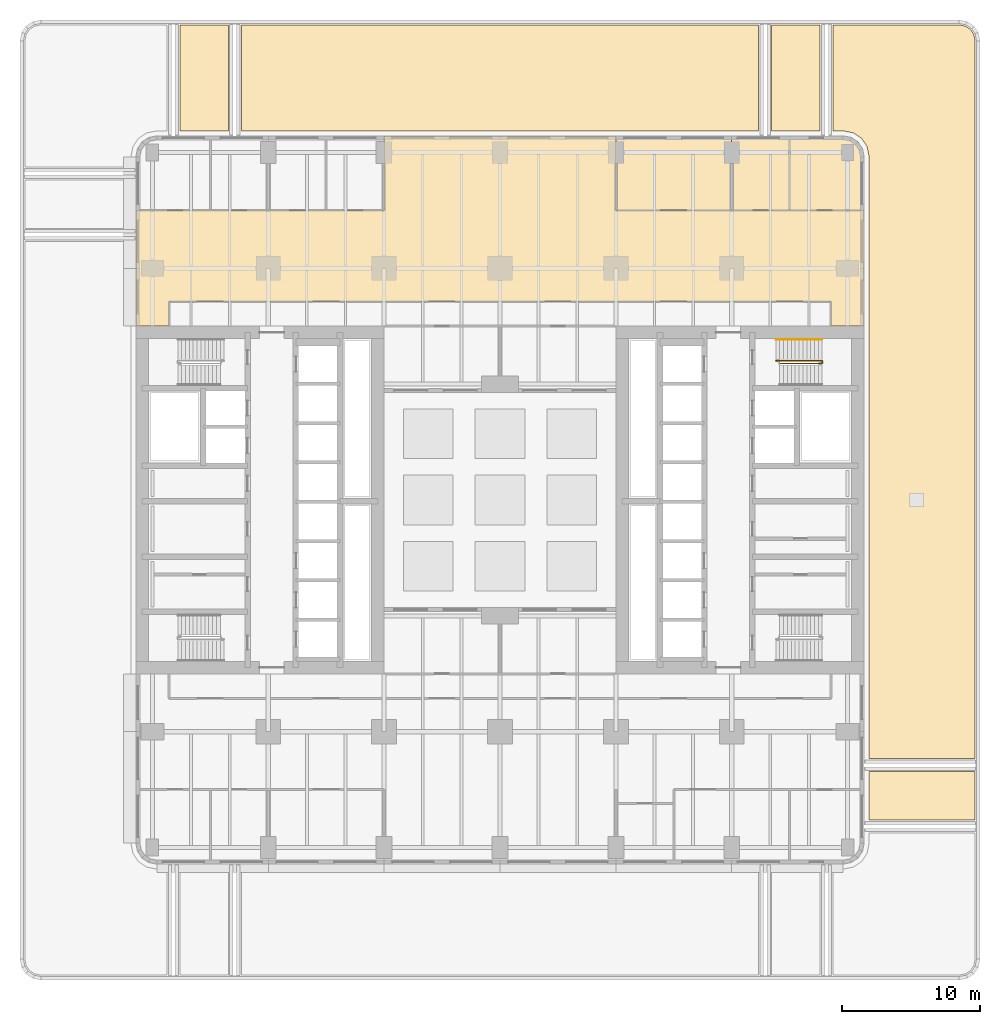
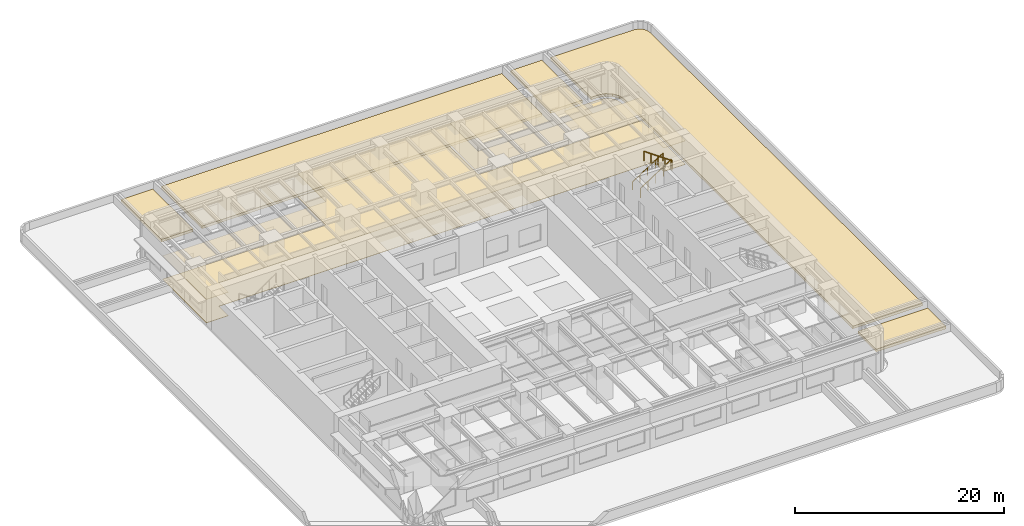
# One storey, part 17 of 17: 10 coverings, 2 railings.
"""IFC4 building model written with IfcOpenShell, lengths in metres."""

from ifc_helpers import new_model, si_unit, direction, frame, origin, origin_2d, place, context, subcontext, project, spatial, polyline, circle, outline, extrude, material, layer, layer_set, type_object, element, save


model = new_model("IFC4")

# Units and contexts
model_context = context("Model", 3, precision=1e-05, world=origin(), true_north=direction((0.0, 1.0)))
body_context = subcontext(model_context, "Body", "Model", "MODEL_VIEW")
ifc_project = project(units=[si_unit("LENGTHUNIT", "METRE"), si_unit("AREAUNIT", "SQUARE_METRE"), si_unit("VOLUMEUNIT", "CUBIC_METRE"), si_unit("PLANEANGLEUNIT", "RADIAN"), si_unit("MASSUNIT", "GRAM", prefix="KILO")], contexts=[model_context])

# Site, building, storey
site_placement = place(None, origin())
site = spatial("IfcSite", under=ifc_project, at=site_placement, CompositionType="ELEMENT")
building_placement = place(site_placement, origin())
building = spatial("IfcBuilding", under=site, at=building_placement, Name="Claustro Exchange Tower", CompositionType="ELEMENT")
storey_placement = place(building_placement, frame((0.0, 0.0, 18.89990234375)))
storey = spatial("IfcBuildingStorey", under=building, at=storey_placement, Name="L04", CompositionType="ELEMENT", Elevation=18.89990234375)

# Coverings
ifc_material_1 = material(Name="Gypsum board ceiling", Category="gypsum board")
ifc_layer_1 = layer(ifc_material_1, 0.02490234375)
ifc_layer_set_1 = layer_set([ifc_layer_1], Name="Gypsum board ceiling")
covering_type_1 = type_object("IfcCoveringType", Name="CL2 plasterboard ceiling", PredefinedType="CEILING", material=ifc_layer_set_1)
covering_1_placement = place(storey_placement, frame((0.0, 0.0, 3.0)))
element("IfcCovering", 1, at=covering_1_placement, inside=storey, type_object=covering_type_1, Name="Ceiling CL2 L04-14", PredefinedType="CEILING", context=body_context, shape_type="SweptSolid", body=[
    extrude(outline(polyline([(-1.199951171875, 46.199951171875), (-1.199951171875, 37.800048828125), (1.199951171875, 37.800048828125), (1.199951171875, 39.60009765625), (49.199951171875, 39.60009765625), (49.199951171875, 37.800048828125), (51.60009765625, 37.800048828125), (51.60009765625, 46.199951171875), (46.199951171875, 46.199951171875), (42.0, 46.199951171875), (33.60009765625, 46.199951171875), (33.60009765625, 51.60009765625), (16.800048828125, 51.60009765625), (16.800048828125, 46.199951171875), (12.60009765625, 46.199951171875), (8.39990234375, 46.199951171875), (4.199951171875, 46.199951171875), (-1.199951171875, 46.199951171875)])), origin(), (0.0, 0.0, 1.0), 0.025146484375),
])
covering_2_placement = place(storey_placement, frame((0.0, 0.0, 3.0)))
element("IfcCovering", 2, at=covering_2_placement, inside=storey, type_object=covering_type_1, Name="Ceiling CL2 L04-19", PredefinedType="CEILING", context=body_context, shape_type="SweptSolid", body=[
    extrude(outline(polyline([(42.0, 51.60009765625), (33.60009765625, 51.60009765625), (33.60009765625, 46.199951171875), (42.0, 46.199951171875), (42.0, 51.60009765625)])), origin(), (0.0, 0.0, 1.0), 0.025146484375),
])
covering_3_placement = place(storey_placement, frame((0.0, 0.0, 3.0)))
element("IfcCovering", 3, at=covering_3_placement, inside=storey, type_object=covering_type_1, Name="Ceiling CL2 L04-20", PredefinedType="CEILING", context=body_context, shape_type="SweptSolid", body=[
    extrude(outline(polyline([(46.199951171875, 51.60009765625), (42.0, 51.60009765625), (42.0, 46.199951171875), (46.199951171875, 46.199951171875), (46.199951171875, 51.60009765625)])), origin(), (0.0, 0.0, 1.0), 0.025146484375),
])
ifc_material_2 = material(Name="Epoxy resin floor finish", Category="resin")
ifc_layer_2 = layer(ifc_material_2, 0.006103515625)
ifc_layer_set_2 = layer_set([ifc_layer_2], Name="Epoxy resin floor finish")
covering_type_2 = type_object("IfcCoveringType", Name="FL2 resin plant room floor", PredefinedType="FLOORING", material=ifc_layer_set_2)
covering_4_placement = place(storey_placement, origin())
element("IfcCovering", 4, at=covering_4_placement, inside=storey, type_object=covering_type_2, Name="Resin floor FL2 L04-21", PredefinedType="FLOORING", context=body_context, shape_type="SweptSolid", body=[
    extrude(outline(polyline([(50.10009765625, 51.60009765625), (46.199951171875, 51.60009765625), (46.199951171875, 46.199951171875), (51.60009765625, 46.199951171875), (51.60009765625, 50.10009765625), (51.48583984375, 50.674072265625), (51.16064453125, 51.16064453125), (50.674072265625, 51.48583984375), (50.10009765625, 51.60009765625)])), origin(), (0.0, 0.0, 1.0), 0.006103515625),
])

# Railings
ifc_material_3 = material(Name="Steel balustrade, painted", Category="steel")
railing_type_1 = type_object("IfcRailingType", Name="GR2 1100 steel stair guard", PredefinedType="GUARDRAIL", material=ifc_material_3)
railing_1_placement = place(storey_placement, frame((45.199951171875, 35.300048828125, 0.18017578125)))
element("IfcRailing", 5, at=railing_1_placement, inside=storey, type_object=railing_type_1, Name="Stair well guard GR2 stair STEB L04", PredefinedType="GUARDRAIL", context=body_context, shape_type="SweptSolid", body=[
    extrude(circle(Radius=0.02392578125, at=origin_2d()), frame((0.0, 0.0, 1.076171875), z_axis=(0.84119634759, 0.0, 0.540729789082), x_axis=(0.0, 1.0, 0.0)), (0.0, 0.0, 1.0), 3.994384765625),
    extrude(circle(Radius=0.02392578125, at=origin_2d()), frame((3.360107421875, 0.0, 3.23583984375), z_axis=(0.0, -1.0, 0.0), x_axis=(1.0, 0.0, 0.0)), (0.0, 0.0, 1.0), 0.199951171875),
    extrude(circle(Radius=0.02392578125, at=origin_2d()), frame((3.360107421875, -0.199951171875, 3.23583984375), z_axis=(-0.8187499073, 0.0, 0.574150319426), x_axis=(0.0, -1.0, 0.0)), (0.0, 0.0, 1.0), 3.761962890625),
    extrude(circle(Radius=0.02099609375, at=origin_2d()), origin(), (0.0, 0.0, 1.0), 1.052001953125),
    extrude(circle(Radius=0.02099609375, at=origin_2d()), frame((0.840087890625, 0.0, 0.5400390625)), (0.0, 0.0, 1.0), 1.052001953125),
    extrude(circle(Radius=0.02099609375, at=origin_2d()), frame((1.68017578125, 0.0, 1.080078125)), (0.0, 0.0, 1.0), 1.052001953125),
    extrude(circle(Radius=0.02099609375, at=origin_2d()), frame((2.52001953125, 0.0, 1.619873046875)), (0.0, 0.0, 1.0), 1.052001953125),
    extrude(circle(Radius=0.02099609375, at=origin_2d()), frame((3.360107421875, 0.0, 2.159912109375)), (0.0, 0.0, 1.0), 1.052001953125),
    extrude(circle(Radius=0.02099609375, at=origin_2d()), frame((3.360107421875, -0.199951171875, 2.159912109375)), (0.0, 0.0, 1.0), 1.052001953125),
    extrude(circle(Radius=0.02099609375, at=origin_2d()), frame((2.590087890625, -0.199951171875, 2.699951171875)), (0.0, 0.0, 1.0), 1.052001953125),
    extrude(circle(Radius=0.02099609375, at=origin_2d()), frame((1.820068359375, -0.199951171875, 3.23974609375)), (0.0, 0.0, 1.0), 1.052001953125),
    extrude(circle(Radius=0.02099609375, at=origin_2d()), frame((1.050048828125, -0.199951171875, 3.77978515625)), (0.0, 0.0, 1.0), 1.052001953125),
    extrude(circle(Radius=0.02099609375, at=origin_2d()), frame((0.280029296875, -0.199951171875, 4.31982421875)), (0.0, 0.0, 1.0), 1.052001953125),
])
ifc_material_4 = material(Name="Stainless steel tube", Category="steel")
railing_type_2 = type_object("IfcRailingType", Name="HR1 900 stair handrail", PredefinedType="HANDRAIL", material=ifc_material_4)
railing_2_placement = place(storey_placement, frame((45.199951171875, 36.840087890625, 0.18017578125)))
element("IfcRailing", 6, at=railing_2_placement, inside=storey, type_object=railing_type_2, Name="Handrail HR1 stair STEB L04", PredefinedType="HANDRAIL", context=body_context, shape_type="SweptSolid", body=[
    extrude(circle(Radius=0.02392578125, at=origin_2d()), frame((0.0, 0.0, 0.8759765625), z_axis=(0.84119634759, 0.0, 0.540729789082), x_axis=(0.0, 1.0, 0.0)), (0.0, 0.0, 1.0), 3.994384765625),
    extrude(circle(Radius=0.02099609375, at=origin_2d()), origin(), (0.0, 0.0, 1.0), 0.851806640625),
    extrude(circle(Radius=0.02099609375, at=origin_2d()), frame((0.840087890625, 0.0, 0.5400390625)), (0.0, 0.0, 1.0), 0.851806640625),
    extrude(circle(Radius=0.02099609375, at=origin_2d()), frame((1.68017578125, 0.0, 1.080078125)), (0.0, 0.0, 1.0), 0.851806640625),
    extrude(circle(Radius=0.02099609375, at=origin_2d()), frame((2.52001953125, 0.0, 1.619873046875)), (0.0, 0.0, 1.0), 0.851806640625),
    extrude(circle(Radius=0.02099609375, at=origin_2d()), frame((3.360107421875, 0.0, 2.159912109375)), (0.0, 0.0, 1.0), 0.851806640625),
])

# Coverings
ifc_material_5 = material(Name="Steel-encased raised floor panels on pedestals", Category="steel")
ifc_layer_3 = layer(ifc_material_5, 0.0400390625)
ifc_layer_set_3 = layer_set([ifc_layer_3], Name="Steel-encased raised floor panels on pedestals")
covering_type_3 = type_object("IfcCoveringType", Name="RF1 300 raised access floor", PredefinedType="FLOORING", material=ifc_layer_set_3)
covering_5_placement = place(storey_placement, frame((0.0, 0.0, 0.260009765625)))
element("IfcCovering", 7, at=covering_5_placement, inside=storey, type_object=covering_type_3, Name="Raised access floor RF1 L04-14", PredefinedType="FLOORING", context=body_context, shape_type="SweptSolid", body=[
    extrude(outline(polyline([(-1.199951171875, 46.199951171875), (-1.199951171875, 37.800048828125), (1.199951171875, 37.800048828125), (1.199951171875, 39.60009765625), (49.199951171875, 39.60009765625), (49.199951171875, 37.800048828125), (51.60009765625, 37.800048828125), (51.60009765625, 46.199951171875), (46.199951171875, 46.199951171875), (42.0, 46.199951171875), (33.60009765625, 46.199951171875), (33.60009765625, 51.60009765625), (16.800048828125, 51.60009765625), (16.800048828125, 46.199951171875), (12.60009765625, 46.199951171875), (8.39990234375, 46.199951171875), (4.199951171875, 46.199951171875), (-1.199951171875, 46.199951171875)])), origin(), (0.0, 0.0, 1.0), 0.0400390625),
])
ifc_material_6 = material(Name="Sedum blanket on substrate and drainage layer", Category="soil")
ifc_layer_4 = layer(ifc_material_6, 0.300048828125)
ifc_layer_set_4 = layer_set([ifc_layer_4], Name="Sedum blanket on substrate and drainage layer")
covering_type_4 = type_object("IfcCoveringType", Name="RG1 300 extensive green roof build-up", PredefinedType="ROOFING", material=ifc_layer_set_4)
covering_6_placement = place(storey_placement, origin())
element("IfcCovering", 8, at=covering_6_placement, inside=storey, type_object=covering_type_4, Name="Roof finish RG1 over L03, maintenance access only", PredefinedType="ROOFING", context=body_context, shape_type="SweptSolid", body=[
    extrude(outline(polyline([(59.64990234375, 2.0), (59.64990234375, 5.5), (51.949951171875, 5.5), (51.949951171875, 2.0), (59.64990234375, 2.0)])), origin(), (0.0, 0.0, 1.0), 0.300048828125),
])
covering_7_placement = place(storey_placement, origin())
element("IfcCovering", 9, at=covering_7_placement, inside=storey, type_object=covering_type_4, Name="Roof finish RG1 over L03, maintenance access only", PredefinedType="ROOFING", context=body_context, shape_type="SweptSolid", body=[
    extrude(outline(polyline([(59.64990234375, 6.449951171875), (59.64990234375, 58.465576171875), (59.55615234375, 58.9375), (59.308349609375, 59.308349609375), (58.9375, 59.55615234375), (58.465576171875, 59.64990234375), (49.35009765625, 59.64990234375), (49.35009765625, 51.949951171875), (50.134521484375, 51.949951171875), (50.810546875, 51.8154296875), (51.4130859375, 51.4130859375), (51.8154296875, 50.810546875), (51.949951171875, 50.134521484375), (51.949951171875, 6.449951171875), (59.64990234375, 6.449951171875)])), origin(), (0.0, 0.0, 1.0), 0.300048828125),
])
covering_8_placement = place(storey_placement, origin())
element("IfcCovering", 10, at=covering_8_placement, inside=storey, type_object=covering_type_4, Name="Roof finish RG1 over L03, maintenance access only", PredefinedType="ROOFING", context=body_context, shape_type="SweptSolid", body=[
    extrude(outline(polyline([(48.39990234375, 59.64990234375), (44.89990234375, 59.64990234375), (44.89990234375, 51.949951171875), (48.39990234375, 51.949951171875), (48.39990234375, 59.64990234375)])), origin(), (0.0, 0.0, 1.0), 0.300048828125),
])
covering_9_placement = place(storey_placement, origin())
element("IfcCovering", 11, at=covering_9_placement, inside=storey, type_object=covering_type_4, Name="Roof finish RG1 over L03, maintenance access only", PredefinedType="ROOFING", context=body_context, shape_type="SweptSolid", body=[
    extrude(outline(polyline([(43.949951171875, 59.64990234375), (6.449951171875, 59.64990234375), (6.449951171875, 51.949951171875), (43.949951171875, 51.949951171875), (43.949951171875, 59.64990234375)])), origin(), (0.0, 0.0, 1.0), 0.300048828125),
])
covering_10_placement = place(storey_placement, origin())
element("IfcCovering", 12, at=covering_10_placement, inside=storey, type_object=covering_type_4, Name="Roof finish RG1 over L03, maintenance access only", PredefinedType="ROOFING", context=body_context, shape_type="SweptSolid", body=[
    extrude(outline(polyline([(5.5, 59.64990234375), (2.0, 59.64990234375), (2.0, 51.949951171875), (5.5, 51.949951171875), (5.5, 59.64990234375)])), origin(), (0.0, 0.0, 1.0), 0.300048828125),
])

save(model, "model.ifc")
